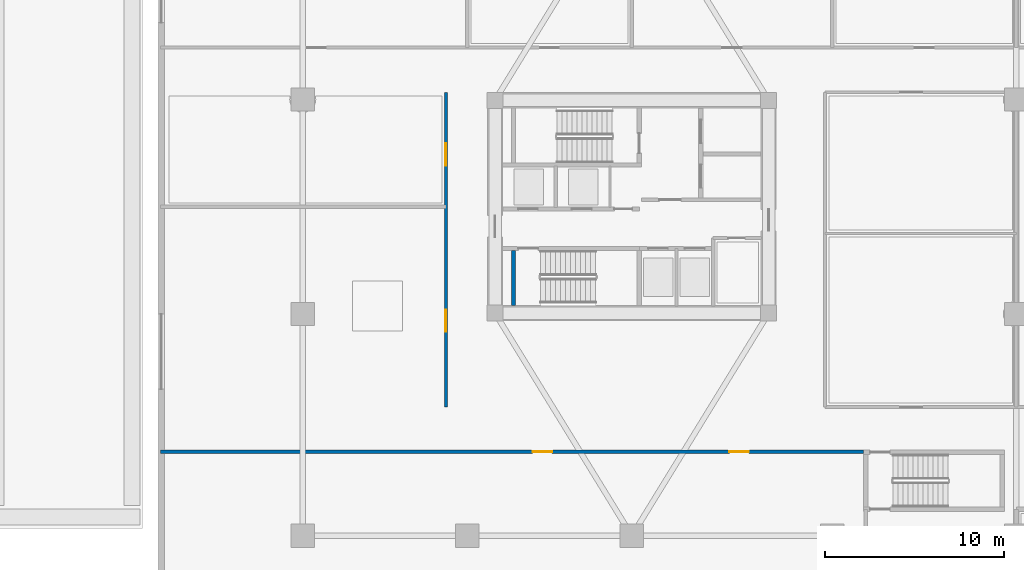
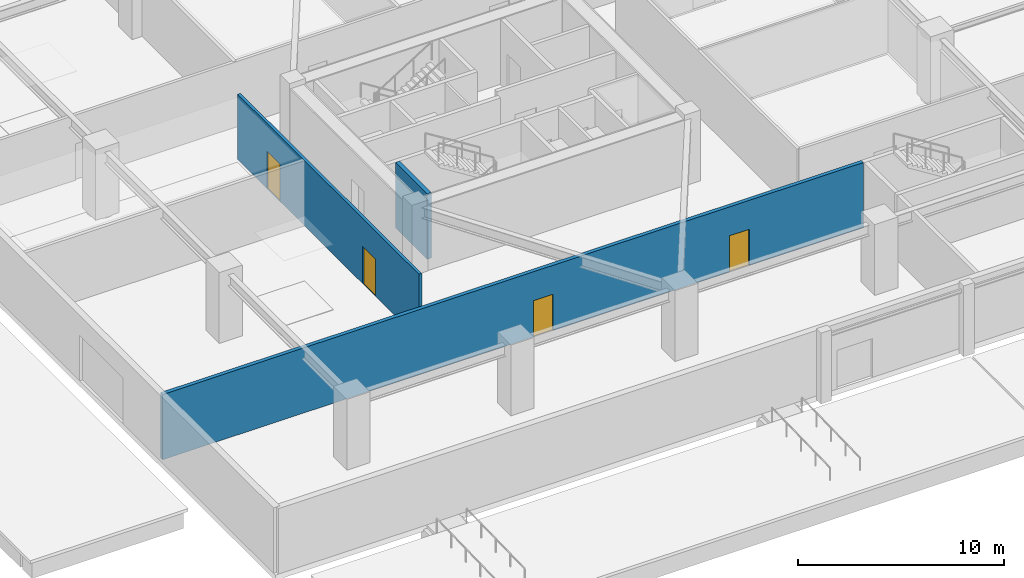
# One storey, part 3 of 22: 4 doors, 3 walls, 4 openings.
"""IFC4 building model written with IfcOpenShell, lengths in metres."""

import ifcopenshell
import ifcopenshell.guid

model = None  # the IFC model being written
_history = None  # IfcOwnerHistory: only IFC2X3 demands one
_inside = {}  # id of a spatial element -> (the spatial element, [elements in it])
_under = {}  # id of a project, library or spatial element -> (it, [spatial elements below it])
_declared = {}  # id of a project -> (the project, [libraries it declares])
_typed = {}  # id of a type object -> (the type object, [elements of that type])
_made_of = {}  # id of a material, layer set ... -> (it, [elements and type objects made of it])


def new_model(schema):
    """Start an empty IFC model of exactly this schema.

    Asked for "IFC4X3", IfcOpenShell would pick the latest addendum, in which some entities
    have other attributes; the version numbers below select the first issue.
    IFC2X3 requires an IfcOwnerHistory on every rooted entity: one is made here for all.
    """
    global model, _history
    if schema == "IFC4X3":
        model = ifcopenshell.file(schema_version=(4, 3, 0, 0))
    else:
        model = ifcopenshell.file(schema=schema)
    _inside.clear()
    _under.clear()
    _declared.clear()
    _typed.clear()
    _made_of.clear()
    _history = None
    if model.schema == "IFC2X3":
        org = make("IfcOrganization", Name="unknown")
        user = make(
            "IfcPersonAndOrganization",
            ThePerson=make("IfcPerson", FamilyName="unknown"),
            TheOrganization=org,
        )
        app = make(
            "IfcApplication",
            ApplicationDeveloper=org,
            Version="unknown",
            ApplicationFullName="unknown",
            ApplicationIdentifier="unknown",
        )
        _history = make(
            "IfcOwnerHistory",
            OwningUser=user,
            OwningApplication=app,
            ChangeAction="ADDED",
            CreationDate=0,
        )
    return model


def make(cls, **values):
    """One entity of the class cls with the attributes given. An attribute that is None is left unset."""
    return model.create_entity(
        cls, **{name: value for name, value in values.items() if value is not None}
    )


def rooted(cls, **values):
    """An entity with a GlobalId (a new one), such as an element, a storey or a relation."""
    return make(cls, GlobalId=ifcopenshell.guid.new(), OwnerHistory=_history, **values)


def si_unit(unit_type, name, prefix=None):
    """IfcSIUnit, for example si_unit("LENGTHUNIT", "METRE", prefix="MILLI")."""
    return make("IfcSIUnit", UnitType=unit_type, Prefix=prefix, Name=name)


def assignment(units):
    """IfcUnitAssignment: the units of a project."""
    return None if units is None else make("IfcUnitAssignment", Units=units)


def point(xyz):
    """IfcCartesianPoint."""
    return None if xyz is None else make("IfcCartesianPoint", Coordinates=xyz)


def direction(xyz):
    """IfcDirection."""
    return None if xyz is None else make("IfcDirection", DirectionRatios=xyz)


def frame(location, z_axis=None, x_axis=None):
    """IfcAxis2Placement3D, a coordinate frame: its origin and axes. An axis left out is left unset."""
    return make(
        "IfcAxis2Placement3D",
        Location=point(location),
        Axis=direction(z_axis),
        RefDirection=direction(x_axis),
    )


def frame_2d(location, x_axis=None):
    """IfcAxis2Placement2D, a coordinate frame in the plane: its origin and x axis."""
    return make(
        "IfcAxis2Placement2D", Location=point(location), RefDirection=direction(x_axis)
    )


def origin():
    """The frame at (0, 0, 0) with its axes left unset."""
    return frame((0.0, 0.0, 0.0))


def place(relative_to, where):
    """IfcLocalPlacement: puts the frame where relative to a parent placement (None: the world)."""
    return make(
        "IfcLocalPlacement", PlacementRelTo=relative_to, RelativePlacement=where
    )


def context(
    kind, dimensions, precision=None, world=None, true_north=None, identifier=None
):
    """IfcGeometricRepresentationContext, for example the 3D "Model" context."""
    return make(
        "IfcGeometricRepresentationContext",
        ContextIdentifier=identifier,
        ContextType=kind,
        CoordinateSpaceDimension=dimensions,
        Precision=precision,
        WorldCoordinateSystem=world,
        TrueNorth=true_north,
    )


def subcontext(parent, identifier, kind, view, scale=None):
    """IfcGeometricRepresentationSubContext, for example "Body" below "Model"."""
    return make(
        "IfcGeometricRepresentationSubContext",
        ContextIdentifier=identifier,
        ContextType=kind,
        ParentContext=parent,
        TargetScale=scale,
        TargetView=view,
    )


def project(units=None, contexts=None):
    """IfcProject with its units and contexts."""
    return rooted(
        "IfcProject",
        Name="project",
        RepresentationContexts=contexts,
        UnitsInContext=assignment(units),
    )


def spatial(cls, under=None, at=None, **own):
    """A site, building, storey or space (cls), placed at a placement, below another one or the project."""
    s = rooted(cls, ObjectPlacement=at, **own)
    if under is not None:
        _under.setdefault(under.id(), (under, []))[1].append(s)
    return s


def profile(cls, at=None, kind="AREA", **sizes):
    """A parametric profile (cls). Its sizes go by their IFC names, for example OverallWidth=200.0."""
    return make(cls, ProfileType=kind, Position=at, **sizes)


def rectangle(**sizes):
    """IfcRectangleProfileDef."""
    return profile("IfcRectangleProfileDef", **sizes)


def extrude(swept, where, along, depth):
    """IfcExtrudedAreaSolid: the profile swept, set in the frame where, extruded along a direction by depth."""
    return make(
        "IfcExtrudedAreaSolid",
        SweptArea=swept,
        Position=where,
        ExtrudedDirection=direction(along),
        Depth=depth,
    )


def shape(context_of_items, identifier, shape_type, items):
    """IfcShapeRepresentation: the items that make up one representation, for example the "Body"."""
    return make(
        "IfcShapeRepresentation",
        ContextOfItems=context_of_items,
        RepresentationIdentifier=identifier,
        RepresentationType=shape_type,
        Items=items,
    )


def source(mapping_origin, context_of_items, identifier, shape_type, items):
    """IfcRepresentationMap: a shape defined once, which mapped items show again and again."""
    return make(
        "IfcRepresentationMap",
        MappingOrigin=mapping_origin,
        MappedRepresentation=shape(context_of_items, identifier, shape_type, items),
    )


def transform(
    local_origin,
    x_axis=None,
    y_axis=None,
    z_axis=None,
    scale=None,
    scale2=None,
    scale3=None,
    uniform=True,
):
    """IfcCartesianTransformationOperator3D, or its non-uniform kind. x_axis, y_axis, z_axis: its Axis1, 2, 3."""
    if uniform:
        return make(
            "IfcCartesianTransformationOperator3D",
            Axis1=direction(x_axis),
            Axis2=direction(y_axis),
            LocalOrigin=point(local_origin),
            Scale=scale,
            Axis3=direction(z_axis),
        )
    return make(
        "IfcCartesianTransformationOperator3DnonUniform",
        Axis1=direction(x_axis),
        Axis2=direction(y_axis),
        LocalOrigin=point(local_origin),
        Scale=scale,
        Axis3=direction(z_axis),
        Scale2=scale2,
        Scale3=scale3,
    )


def mapped(mapping_source, mapping_target):
    """IfcMappedItem: shows the shape of a source again, moved by a transform."""
    return make(
        "IfcMappedItem", MappingSource=mapping_source, MappingTarget=mapping_target
    )


def material(Name=None, Category=None):
    """IfcMaterial."""
    return make("IfcMaterial", Name=Name, Category=Category)


def layer(
    of_material, thickness, ventilated=None, Name=None, Category=None, Priority=None
):
    """IfcMaterialLayer: one layer of a wall or slab, of a material (None: an air gap)."""
    return make(
        "IfcMaterialLayer",
        Material=of_material,
        LayerThickness=thickness,
        IsVentilated=ventilated,
        Name=Name,
        Category=Category,
        Priority=Priority,
    )


def layer_set(layers, Name=None):
    """IfcMaterialLayerSet."""
    return make("IfcMaterialLayerSet", MaterialLayers=layers, LayerSetName=Name)


def made_of(thing, what):
    """Note that an element or type object is made of a material, layer set ...; save() writes the relation."""
    if what is not None:
        _made_of.setdefault(what.id(), (what, []))[1].append(thing)
    return thing


def type_object(cls, material=None, **own):
    """A type object (cls), such as IfcWallType, which elements share."""
    return made_of(rooted(cls, **own), material)


def type_shapes(of_type, sources):
    """Give a type object the sources (RepresentationMaps) that its elements show as mapped items."""
    of_type.RepresentationMaps = sources


def element(
    cls,
    number,
    at=None,
    inside=None,
    cuts=None,
    type_object=None,
    material=None,
    context=None,
    identifier="Body",
    shape_type=None,
    held_by="IfcProductDefinitionShape",
    body=None,
    shapes=None,
    **own,
):
    """One element of the class cls, such as IfcWall. Its Tag is "e" and its number.

    at: its placement. inside: the storey or other place that contains it. cuts: it is an
    opening in that element (IfcRelVoidsElement). A single representation is given by context,
    identifier, shape_type and body (its items); several are given by shapes. held_by: the class
    of the entity that holds the representations. save() writes the other relations.
    """
    e = rooted(cls, Tag="e%d" % number, ObjectPlacement=at, **own)
    if body is not None:
        shapes = [shape(context, identifier, shape_type, body)]
    if shapes is not None:
        e.Representation = make(held_by, Representations=shapes)
    if inside is not None:
        _inside.setdefault(inside.id(), (inside, []))[1].append(e)
    if cuts is not None:
        rooted(
            "IfcRelVoidsElement", RelatingBuildingElement=cuts, RelatedOpeningElement=e
        )
    if type_object is not None:
        _typed.setdefault(type_object.id(), (type_object, []))[1].append(e)
    return made_of(e, material)


def fill(opening, filler):
    """IfcRelFillsElement: the door or window that sits in an opening."""
    return rooted(
        "IfcRelFillsElement",
        RelatingOpeningElement=opening,
        RelatedBuildingElement=filler,
    )


def aggregate(whole, parts):
    """IfcRelAggregates: a whole, such as a stair, and the parts it consists of."""
    return rooted("IfcRelAggregates", RelatingObject=whole, RelatedObjects=parts)


def save(model, path):
    """Write the relations noted so far, then the file.

    IfcRelAggregates (storeys below a building ...), IfcRelContainedInSpatialStructure (elements
    in a storey), IfcRelDefinesByType, IfcRelAssociatesMaterial and IfcRelDeclares: one each for
    every whole, place, type object, material and project.
    """
    for whole, parts in _under.values():
        aggregate(whole, parts)
    for where, things in _inside.values():
        rooted(
            "IfcRelContainedInSpatialStructure",
            RelatedElements=things,
            RelatingStructure=where,
        )
    for kind, things in _typed.values():
        rooted("IfcRelDefinesByType", RelatedObjects=things, RelatingType=kind)
    for what, things in _made_of.values():
        rooted("IfcRelAssociatesMaterial", RelatedObjects=things, RelatingMaterial=what)
    for by, libraries in _declared.values():
        rooted("IfcRelDeclares", RelatingContext=by, RelatedDefinitions=libraries)
    model.write(path)


model = new_model("IFC4")

# Units and contexts
model_context = context("Model", 3, precision=1e-05, world=origin(), true_north=direction((0.0, 1.0)))
body_context = subcontext(model_context, "Body", "Model", "MODEL_VIEW")
ifc_project = project(units=[si_unit("LENGTHUNIT", "METRE"), si_unit("AREAUNIT", "SQUARE_METRE"), si_unit("VOLUMEUNIT", "CUBIC_METRE"), si_unit("PLANEANGLEUNIT", "RADIAN"), si_unit("MASSUNIT", "GRAM", prefix="KILO")], contexts=[model_context])

# Site, building, storey
site_placement = place(None, origin())
site = spatial("IfcSite", under=ifc_project, at=site_placement, CompositionType="ELEMENT")
building_placement = place(site_placement, origin())
building = spatial("IfcBuilding", under=site, at=building_placement, Name="Norrkilde Senior Care Towers", CompositionType="ELEMENT")
storey_placement = place(building_placement, origin())
storey = spatial("IfcBuildingStorey", under=building, at=storey_placement, Name="L00", CompositionType="ELEMENT", Elevation=0.0)

# Wall
ifc_material_1 = material(Name="Concrete C45/55", Category="concrete")
ifc_layer_1 = layer(ifc_material_1, 0.239990234375)
ifc_layer_set_1 = layer_set([ifc_layer_1], Name="Concrete C45/55")
wall_type_1 = type_object("IfcWallType", Name="Shaft and Stair Enclosure Wall 240", PredefinedType="PARTITIONING", material=ifc_layer_set_1)
shared_shape_1 = source(origin(), body_context, "Body", "SweptSolid", [
    extrude(rectangle(XDim=3.074951171875, YDim=0.239990234375, at=frame_2d((1.53759765625, 0.0))), origin(), (0.0, 0.0, 1.0), 3.8798828125),
])
type_shapes(wall_type_1, [shared_shape_1])
wall_1_placement = place(storey_placement, frame((-34.6201171875, -5.52490234375, 0.0), z_axis=(0.0, 0.0, 1.0), x_axis=(0.0, 1.0, 0.0)))
element("IfcWall", 1, at=wall_1_placement, inside=storey, type_object=wall_type_1, Name="WL-INT-L00-W-ST2W", PredefinedType="PARTITIONING", context=body_context, shape_type="MappedRepresentation", body=[
    mapped(shared_shape_1, transform((0.0, 0.0, 0.0), x_axis=(1.0, 0.0, 0.0), y_axis=(0.0, 1.0, 0.0), z_axis=(0.0, 0.0, 1.0), scale=1.0)),
])

# Wall, openings, doors
ifc_material_2 = material(Name="Gypsum Acoustic Board")
ifc_layer_2 = layer(ifc_material_2, 0.1650390625)
ifc_layer_set_2 = layer_set([ifc_layer_2], Name="Gypsum Acoustic Board")
wall_type_2 = type_object("IfcWallType", Name="Corridor Rated Partition 165", PredefinedType="PARTITIONING", material=ifc_layer_set_2)
shared_shape_2 = source(origin(), body_context, "Body", "SweptSolid", [
    extrude(rectangle(XDim=17.599853515625, YDim=0.1650390625, at=frame_2d((8.7998046875, 0.0))), origin(), (0.0, 0.0, 1.0), 3.864990234375),
])
type_shapes(wall_type_2, [shared_shape_2])
wall_2_placement = place(storey_placement, frame((-38.39990234375, -11.199951171875, 0.0), z_axis=(0.0, 0.0, 1.0), x_axis=(0.0, 1.0, 0.0)))
wall_2 = element("IfcWall", 2, at=wall_2_placement, inside=storey, type_object=wall_type_2, Name="WL-INT-L00-POD-OW", PredefinedType="PARTITIONING", context=body_context, shape_type="MappedRepresentation", body=[
    mapped(shared_shape_2, transform((0.0, 0.0, 0.0), x_axis=(1.0, 0.0, 0.0), y_axis=(0.0, 1.0, 0.0), z_axis=(0.0, 0.0, 1.0), scale=1.0)),
])
opening_1_placement = place(wall_2_placement, frame((4.199951171875, 0.0, 0.0)))
opening_1 = element("IfcOpeningElement", 3, at=opening_1_placement, cuts=wall_2, Name="Opening D-05", PredefinedType="OPENING", context=body_context, shape_type="SweptSolid", body=[
    extrude(rectangle(XDim=1.25, YDim=2.199951171875, at=frame_2d((0.625, 1.10009765625))), frame((0.0, 0.092529296875, 0.0), z_axis=(0.0, -1.0, 0.0), x_axis=(1.0, 0.0, 0.0)), (0.0, 0.0, 1.0), 0.18505859375),
])
opening_2_placement = place(wall_2_placement, frame((13.5, 0.0, 0.0)))
opening_2 = element("IfcOpeningElement", 4, at=opening_2_placement, cuts=wall_2, Name="Opening D-05", PredefinedType="OPENING", context=body_context, shape_type="SweptSolid", body=[
    extrude(rectangle(XDim=1.25, YDim=2.199951171875, at=frame_2d((0.625, 1.10009765625))), frame((0.0, 0.092529296875, 0.0), z_axis=(0.0, -1.0, 0.0), x_axis=(1.0, 0.0, 0.0)), (0.0, 0.0, 1.0), 0.18505859375),
])
ifc_material_3 = material(Name="Nordic Ash Timber", Category="wood")
door_type_1 = type_object("IfcDoorType", Name="Care Bedroom Bariatric Door 1250x2200", OperationType="NOTDEFINED", PredefinedType="DOOR", material=ifc_material_3)
shared_shape_3 = source(origin(), body_context, "Body", "SweptSolid", [
    extrude(rectangle(XDim=1.25, YDim=2.199951171875, at=frame_2d((0.625, 1.10009765625))), frame((0.0, 0.02490234375, 0.0), z_axis=(0.0, -1.0, 0.0), x_axis=(1.0, 0.0, 0.0)), (0.0, 0.0, 1.0), 0.050048828125),
])
type_shapes(door_type_1, [shared_shape_3])
door_1_placement = place(opening_1_placement, frame((1.25, 0.0, 0.0), z_axis=(0.0, 0.0, 1.0), x_axis=(-1.0, 0.0, 0.0)))
door_1 = element("IfcDoor", 5, at=door_1_placement, inside=storey, type_object=door_type_1, Name="L00 Rehab Ward OW1 Door", OperationType="SINGLE_SWING_LEFT", OverallHeight=2.199951171875, OverallWidth=1.25, PredefinedType="DOOR", context=body_context, shape_type="MappedRepresentation", body=[
    mapped(shared_shape_3, transform((0.0, 0.0, 0.0), x_axis=(1.0, 0.0, 0.0), y_axis=(0.0, 1.0, 0.0), z_axis=(0.0, 0.0, 1.0), scale=1.0)),
])
fill(opening_1, door_1)
door_2_placement = place(opening_2_placement, frame((1.25, 0.0, 0.0), z_axis=(0.0, 0.0, 1.0), x_axis=(-1.0, 0.0, 0.0)))
door_2 = element("IfcDoor", 6, at=door_2_placement, inside=storey, type_object=door_type_1, Name="L00 Wellness Hall OW2 Door", OperationType="SINGLE_SWING_RIGHT", OverallHeight=2.199951171875, OverallWidth=1.25, PredefinedType="DOOR", context=body_context, shape_type="MappedRepresentation", body=[
    mapped(shared_shape_3, transform((0.0, 0.0, 0.0), x_axis=(1.0, 0.0, 0.0), y_axis=(0.0, 1.0, 0.0), z_axis=(0.0, 0.0, 1.0), scale=1.0)),
])
fill(opening_2, door_2)

ifc_layer_3 = layer(ifc_material_1, 0.2099609375)
ifc_layer_set_3 = layer_set([ifc_layer_3], Name="Concrete C45/55")
wall_type_3 = type_object("IfcWallType", Name="Firefighting Lobby Wall 210", PredefinedType="PARTITIONING", material=ifc_layer_set_3)
shared_shape_4 = source(origin(), body_context, "Body", "SweptSolid", [
    extrude(rectangle(XDim=39.300048828125, YDim=0.2099609375, at=frame_2d((19.64990234375, 0.0))), origin(), (0.0, 0.0, 1.0), 3.864990234375),
])
type_shapes(wall_type_3, [shared_shape_4])
wall_3_placement = place(storey_placement, frame((-54.35009765625, -13.699951171875, 0.0), z_axis=(0.0, 0.0, 1.0), x_axis=(1.0, 0.0, 0.0)))
wall_3 = element("IfcWall", 7, at=wall_3_placement, inside=storey, type_object=wall_type_3, Name="WL-INT-L00-EPW-N", PredefinedType="PARTITIONING", context=body_context, shape_type="MappedRepresentation", body=[
    mapped(shared_shape_4, transform((0.0, 0.0, 0.0), x_axis=(1.0, 0.0, 0.0), y_axis=(0.0, 1.0, 0.0), z_axis=(0.0, 0.0, 1.0), scale=1.0)),
])
opening_3_placement = place(wall_3_placement, frame((20.800048828125, 0.0, 0.0)))
opening_3 = element("IfcOpeningElement", 8, at=opening_3_placement, cuts=wall_3, Name="Opening D-03", PredefinedType="OPENING", context=body_context, shape_type="SweptSolid", body=[
    extrude(rectangle(XDim=1.10009765625, YDim=2.14990234375, at=frame_2d((0.550048828125, 1.074951171875))), frame((0.0, 0.114990234375, 0.0), z_axis=(0.0, -1.0, 0.0), x_axis=(1.0, 0.0, 0.0)), (0.0, 0.0, 1.0), 0.22998046875),
])
opening_4_placement = place(wall_3_placement, frame((31.800048828125, 0.0, 0.0)))
opening_4 = element("IfcOpeningElement", 9, at=opening_4_placement, cuts=wall_3, Name="Opening D-03", PredefinedType="OPENING", context=body_context, shape_type="SweptSolid", body=[
    extrude(rectangle(XDim=1.10009765625, YDim=2.14990234375, at=frame_2d((0.550048828125, 1.074951171875))), frame((0.0, 0.114990234375, 0.0), z_axis=(0.0, -1.0, 0.0), x_axis=(1.0, 0.0, 0.0)), (0.0, 0.0, 1.0), 0.22998046875),
])
ifc_material_4 = material(Name="Galvanised Painted Steel", Category="steel")
door_type_2 = type_object("IfcDoorType", Name="Stairwell Protected Fire Door 1100x2150", OperationType="NOTDEFINED", PredefinedType="DOOR", material=ifc_material_4)
shared_shape_5 = source(origin(), body_context, "Body", "SweptSolid", [
    extrude(rectangle(XDim=1.10009765625, YDim=2.14990234375, at=frame_2d((0.550048828125, 1.074951171875))), frame((0.0, 0.02490234375, 0.0), z_axis=(0.0, -1.0, 0.0), x_axis=(1.0, 0.0, 0.0)), (0.0, 0.0, 1.0), 0.050048828125),
])
type_shapes(door_type_2, [shared_shape_5])
door_3_placement = place(opening_3_placement, frame((1.10009765625, 0.0, 0.0), z_axis=(0.0, 0.0, 1.0), x_axis=(-1.0, 0.0, 0.0)))
door_3 = element("IfcDoor", 10, at=door_3_placement, inside=storey, type_object=door_type_2, Name="L00 Tower West Exit Passageway Door 1", OperationType="SINGLE_SWING_LEFT", OverallHeight=2.14990234375, OverallWidth=1.10009765625, PredefinedType="DOOR", context=body_context, shape_type="MappedRepresentation", body=[
    mapped(shared_shape_5, transform((0.0, 0.0, 0.0), x_axis=(1.0, 0.0, 0.0), y_axis=(0.0, 1.0, 0.0), z_axis=(0.0, 0.0, 1.0), scale=1.0)),
])
fill(opening_3, door_3)
door_4_placement = place(opening_4_placement, frame((1.10009765625, 0.0, 0.0), z_axis=(0.0, 0.0, 1.0), x_axis=(-1.0, 0.0, 0.0)))
door_4 = element("IfcDoor", 11, at=door_4_placement, inside=storey, type_object=door_type_2, Name="L00 Tower West Exit Passageway Door 2", OperationType="SINGLE_SWING_RIGHT", OverallHeight=2.14990234375, OverallWidth=1.10009765625, PredefinedType="DOOR", context=body_context, shape_type="MappedRepresentation", body=[
    mapped(shared_shape_5, transform((0.0, 0.0, 0.0), x_axis=(1.0, 0.0, 0.0), y_axis=(0.0, 1.0, 0.0), z_axis=(0.0, 0.0, 1.0), scale=1.0)),
])
fill(opening_4, door_4)

save(model, "model.ifc")
